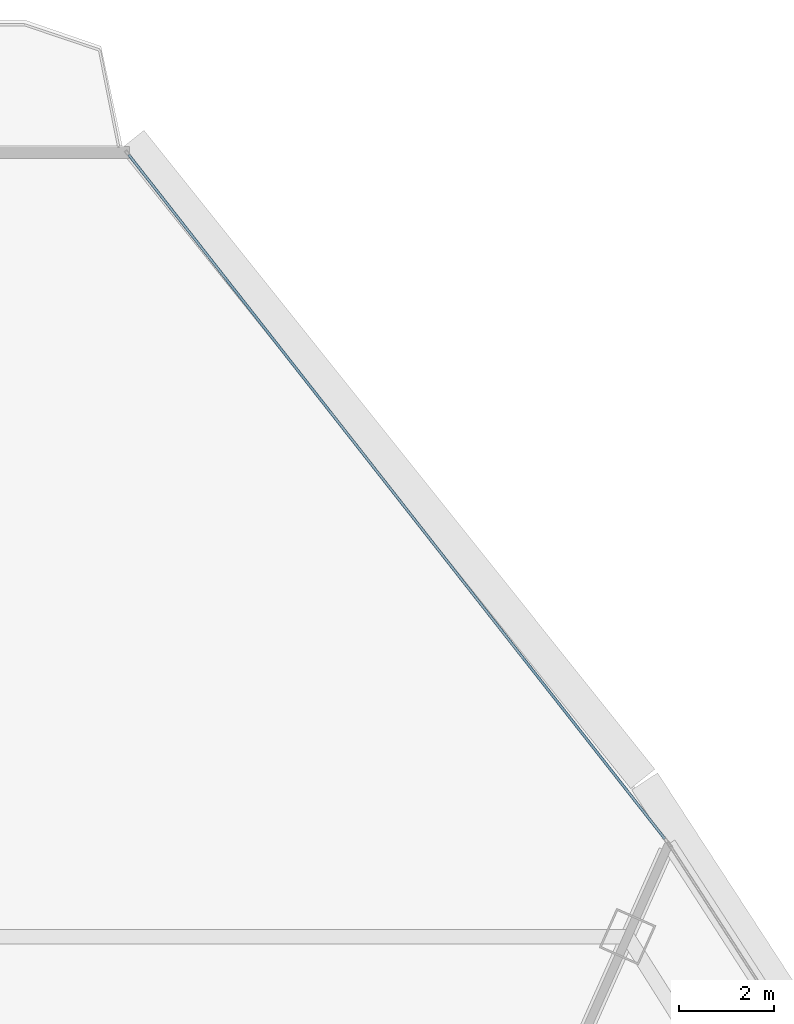
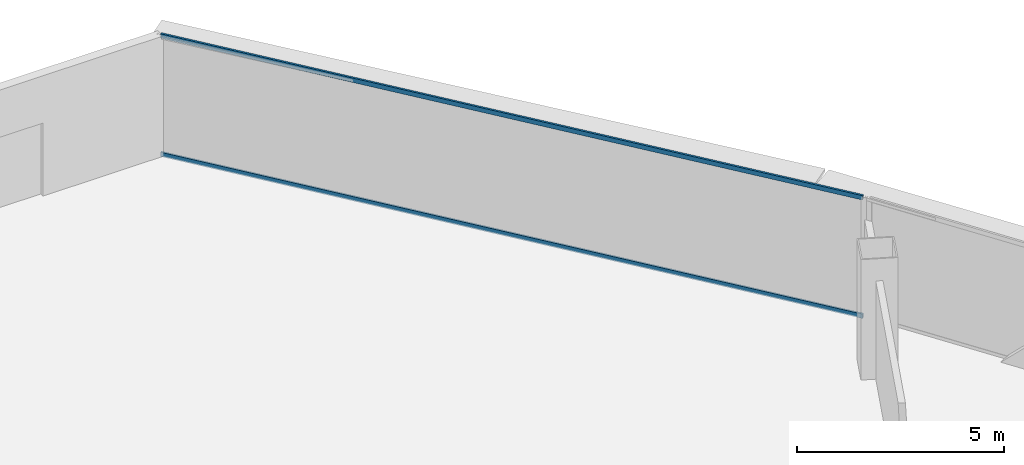
# One storey, part 23 of 37: 2 members, 1 element without a shape of its own.
"""IFC4 building model written with IfcOpenShell, lengths in metres."""

from ifc_helpers import new_model, si_unit, direction, frame, origin, origin_2d, place, context, subcontext, project, spatial, hollow_rectangle, extrude, source, transform, mapped, material, layer, layer_set, material_profile, profile_set, type_object, element, aggregate, save


model = new_model("IFC4")

# Units and contexts
model_context = context("Model", 3, precision=1e-05, world=origin(), true_north=direction((0.0, 1.0)))
body_context = subcontext(model_context, "Body", "Model", "MODEL_VIEW")
ifc_project = project(units=[si_unit("LENGTHUNIT", "METRE"), si_unit("AREAUNIT", "SQUARE_METRE"), si_unit("VOLUMEUNIT", "CUBIC_METRE"), si_unit("PLANEANGLEUNIT", "RADIAN"), si_unit("MASSUNIT", "GRAM", prefix="KILO"), si_unit("THERMODYNAMICTEMPERATUREUNIT", "KELVIN"), si_unit("POWERUNIT", "WATT")], contexts=[model_context])

# Site, building, storey
site_placement = place(None, origin())
site = spatial("IfcSite", under=ifc_project, at=site_placement, CompositionType="ELEMENT")
building_placement = place(site_placement, origin())
building = spatial("IfcBuilding", under=site, at=building_placement, Name="Yunzhuo Pagoda Commons", CompositionType="ELEMENT")
storey_placement = place(building_placement, frame((0.0, 0.0, 196.159912109375)))
storey = spatial("IfcBuildingStorey", under=building, at=storey_placement, Name="L49", CompositionType="ELEMENT", Elevation=196.159912109375)

# Curtain wall, members
ifc_material = material(Name="Anodized aluminium 6063-T6", Category="aluminium")
ifc_layer = layer(ifc_material, 0.14990234375)
ifc_layer_set = layer_set([ifc_layer], Name="Anodized aluminium 6063-T6")
curtain_wall_type = type_object("IfcCurtainWallType", Name="CW-MID Mid-Zone Ribbon Curtain Wall", PredefinedType="NOTDEFINED", material=ifc_layer_set)
curtain_wall_placement = place(storey_placement, origin())
curtain_wall = element("IfcCurtainWall", 1, at=curtain_wall_placement, inside=storey, type_object=curtain_wall_type, Name="L49 curtain wall CW-L49-F2B5", PredefinedType="NOTDEFINED")
ifc_material_profile = material_profile(ifc_material, hollow_rectangle(XDim=0.054931640625, YDim=0.1298828125, WallThickness=0.00341796875, at=origin_2d()), Name="Anodized aluminium 6063-T6")
ifc_profile_set = profile_set([ifc_material_profile], Name="Anodized aluminium 6063-T6")
member_type = type_object("IfcMemberType", Name="CW-MID-T Transom RHS 130x55x3.5", PredefinedType="USERDEFINED", material=ifc_profile_set)
shared_shape = source(origin(), body_context, "Body", "SweptSolid", [
    extrude(hollow_rectangle(XDim=0.054931640625, YDim=0.1298828125, WallThickness=0.00341796875, at=origin_2d()), origin(), (0.0, 0.0, 1.0), 18.23681640625),
])
member_1_placement = place(storey_placement, frame((63.482177734375, 68.76708984375, 0.027587890625), z_axis=(-0.616886369969, 0.78705222606, 0.0), x_axis=(-0.78705222606, -0.616886369969, 0.0)))
member_1 = element("IfcMember", 2, at=member_1_placement, type_object=member_type, Name="CW transom 1.1", ObjectType="TRANSOM", PredefinedType="USERDEFINED", context=body_context, shape_type="MappedRepresentation", body=[
    mapped(shared_shape, transform((0.0, 0.0, 0.0), scale=1.0)),
])
member_2_placement = place(storey_placement, frame((63.482177734375, 68.76708984375, 3.5126953125), z_axis=(-0.616886369969, 0.78705222606, 0.0), x_axis=(-0.78705222606, -0.616886369969, 0.0)))
member_2 = element("IfcMember", 3, at=member_2_placement, type_object=member_type, Name="CW transom 1.2", ObjectType="TRANSOM", PredefinedType="USERDEFINED", context=body_context, shape_type="MappedRepresentation", body=[
    mapped(shared_shape, transform((0.0, 0.0, 0.0), scale=1.0)),
])
aggregate(curtain_wall, [member_1, member_2])

save(model, "model.ifc")
